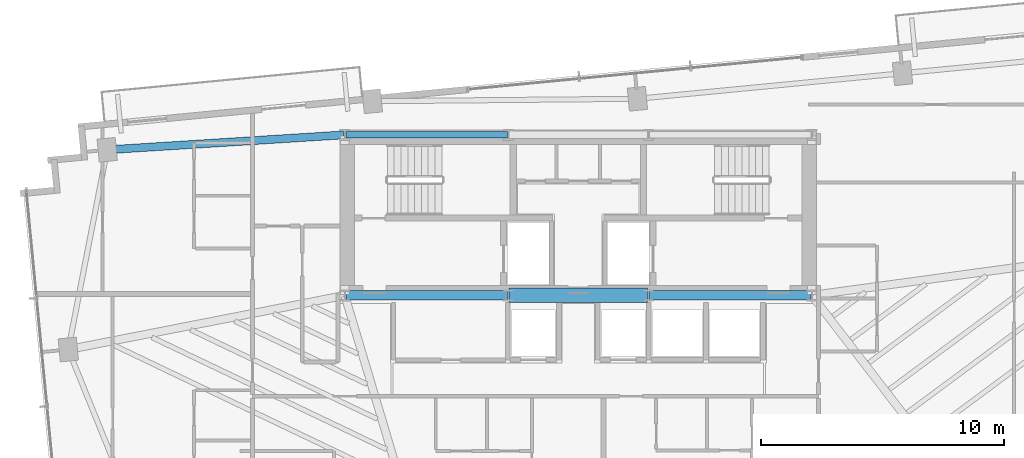
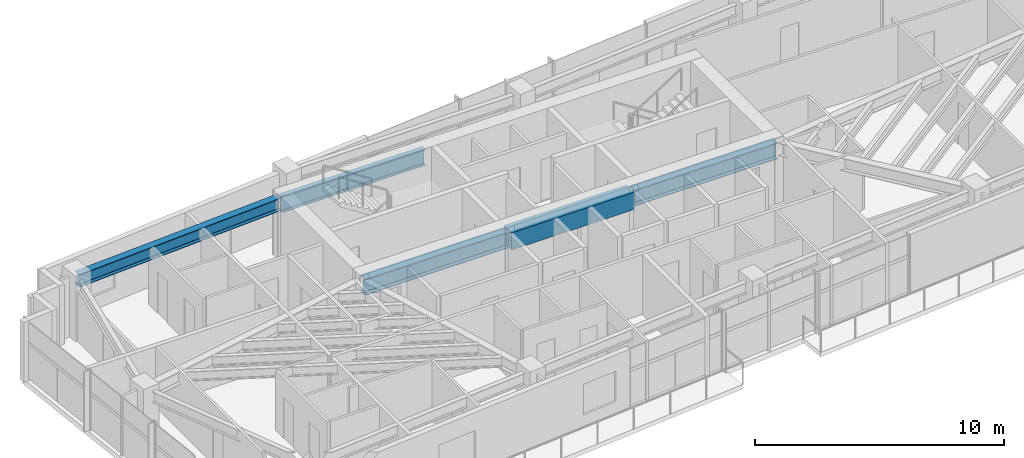
# One storey, part 5 of 18: 5 beams.
"""IFC4 building model written with IfcOpenShell, lengths in metres."""

from ifc_helpers import new_model, si_unit, direction, frame, origin, origin_2d, place, context, subcontext, project, spatial, rectangle, i_section, extrude, source, transform, mapped, material, material_profile, profile_set, type_object, type_shapes, element, save


model = new_model("IFC4")

# Units and contexts
model_context = context("Model", 3, precision=1e-05, world=origin(), true_north=direction((0.0, 1.0)))
body_context = subcontext(model_context, "Body", "Model", "MODEL_VIEW")
ifc_project = project(units=[si_unit("LENGTHUNIT", "METRE"), si_unit("AREAUNIT", "SQUARE_METRE"), si_unit("VOLUMEUNIT", "CUBIC_METRE"), si_unit("PLANEANGLEUNIT", "RADIAN"), si_unit("MASSUNIT", "GRAM", prefix="KILO")], contexts=[model_context])

# Site, building, storey
site_placement = place(None, origin())
site = spatial("IfcSite", under=ifc_project, at=site_placement, CompositionType="ELEMENT")
building_placement = place(site_placement, origin())
building = spatial("IfcBuilding", under=site, at=building_placement, Name="Astriad Promenade Condominiums", CompositionType="ELEMENT")
storey_placement = place(building_placement, frame((0.0, 0.0, 179.39990234375)))
storey = spatial("IfcBuildingStorey", under=building, at=storey_placement, Name="L51", CompositionType="ELEMENT", Elevation=179.39990234375)

# Beams
ifc_material_1 = material(Name="Steel ASTM A992 Grade 50", Category="steel")
ifc_material_profile_1 = material_profile(ifc_material_1, i_section(OverallWidth=0.3837890625, OverallDepth=0.785888671875, WebThickness=0.019775390625, FlangeThickness=0.033447265625, FilletRadius=0.021484375, at=origin_2d()), Name="W30X211")
ifc_profile_set_1 = profile_set([ifc_material_profile_1], Name="Steel ASTM A992 Grade 50")
beam_type_1 = type_object("IfcBeamType", Name="STEEL FLOOR GIRDER W30X211", PredefinedType="BEAM", material=ifc_profile_set_1)
shared_shape_1 = source(origin(), body_context, "Body", "SweptSolid", [
    extrude(i_section(OverallWidth=0.3837890625, OverallDepth=0.785888671875, WebThickness=0.019775390625, FlangeThickness=0.033447265625, FilletRadius=0.021484375, at=origin_2d()), origin(), (0.0, 0.0, 1.0), 6.64013671875),
])
type_shapes(beam_type_1, [shared_shape_1])
for number, where, z_axis, x_axis, name in (
    (1, (26.43994140625, 17.39990234375, 2.547119140625), (1.0, 0.0, 0.0), (0.0, 1.0, 0.0), "Core Ring Beam CG-S1-L51"),
    (2, (38.919921875, 17.39990234375, 2.547119140625), (1.0, 0.0, 0.0), (0.0, 1.0, 0.0), "Core Ring Beam CG-S3-L51"),
):
    element("IfcBeam", number, at=place(storey_placement, frame(where, z_axis=z_axis, x_axis=x_axis)), inside=storey, type_object=beam_type_1, Name=name, PredefinedType="BEAM", context=body_context, shape_type="MappedRepresentation", body=[
        mapped(shared_shape_1, transform((0.0, 0.0, 0.0), scale=1.0)),
    ])
ifc_material_profile_2 = material_profile(ifc_material_1, i_section(OverallWidth=0.267822265625, OverallDepth=0.76953125, WebThickness=0.015625, FlangeThickness=0.025390625, FilletRadius=0.021484375, at=origin_2d()), Name="W30X132")
ifc_profile_set_2 = profile_set([ifc_material_profile_2], Name="Steel ASTM A992 Grade 50")
beam_type_2 = type_object("IfcBeamType", Name="STEEL FLOOR GIRDER W30X132", PredefinedType="BEAM", material=ifc_profile_set_2)
shared_shape_2 = source(origin(), body_context, "Body", "SweptSolid", [
    extrude(i_section(OverallWidth=0.267822265625, OverallDepth=0.76953125, WebThickness=0.015625, FlangeThickness=0.025390625, FilletRadius=0.021484375, at=origin_2d()), origin(), (0.0, 0.0, 1.0), 6.64013671875),
])
type_shapes(beam_type_2, [shared_shape_2])
beam_1_placement = place(storey_placement, frame((26.43994140625, 24.0, 2.55517578125), z_axis=(1.0, 0.0, 0.0), x_axis=(0.0, 1.0, 0.0)))
element("IfcBeam", 3, at=beam_1_placement, inside=storey, type_object=beam_type_2, Name="Core Ring Beam CG-N1-L51", PredefinedType="BEAM", context=body_context, shape_type="MappedRepresentation", body=[
    mapped(shared_shape_2, transform((0.0, 0.0, 0.0), scale=1.0)),
])
ifc_material_2 = material(Name="Concrete C60/75", Category="concrete")
ifc_material_profile_3 = material_profile(ifc_material_2, rectangle(XDim=0.60009765625, YDim=0.85009765625, at=origin_2d()), Name="RC-BM-600X850")
ifc_profile_set_3 = profile_set([ifc_material_profile_3], Name="Concrete C60/75")
beam_type_3 = type_object("IfcBeamType", Name="CONCRETE CORE COUPLING LINTEL 600X850", PredefinedType="LINTEL", material=ifc_profile_set_3)
shared_shape_3 = source(origin(), body_context, "Body", "SweptSolid", [
    extrude(rectangle(XDim=0.60009765625, YDim=0.85009765625, at=origin_2d()), origin(), (0.0, 0.0, 1.0), 5.68017578125),
])
type_shapes(beam_type_3, [shared_shape_3])
beam_2_placement = place(storey_placement, frame((33.159912109375, 17.39990234375, 2.51513671875), z_axis=(1.0, 0.0, 0.0), x_axis=(0.0, 1.0, 0.0)))
element("IfcBeam", 4, at=beam_2_placement, inside=storey, type_object=beam_type_3, Name="Core Ring Beam CG-S2-L51", PredefinedType="LINTEL", context=body_context, shape_type="MappedRepresentation", body=[
    mapped(shared_shape_3, transform((0.0, 0.0, 0.0), scale=1.0)),
])
ifc_material_profile_4 = material_profile(ifc_material_1, i_section(OverallWidth=0.326416015625, OverallDepth=0.621826171875, WebThickness=0.015380859375, FlangeThickness=0.0244140625, FilletRadius=0.017822265625, at=origin_2d()), Name="W24X131")
ifc_profile_set_4 = profile_set([ifc_material_profile_4], Name="Steel ASTM A992 Grade 50")
beam_type_4 = type_object("IfcBeamType", Name="STEEL FLOOR GIRDER W24X131", PredefinedType="BEAM", material=ifc_profile_set_4)
shared_shape_4 = source(origin(), body_context, "Body", "SweptSolid", [
    extrude(i_section(OverallWidth=0.326416015625, OverallDepth=0.621826171875, WebThickness=0.015380859375, FlangeThickness=0.0244140625, FilletRadius=0.017822265625, at=origin_2d()), origin(), (0.0, 0.0, 1.0), 9.707275390625),
])
type_shapes(beam_type_4, [shared_shape_4])
beam_3_placement = place(storey_placement, frame((16.672119140625, 23.38671875, 2.629150390625), z_axis=(0.998018176507, 0.062926301034, 0.0), x_axis=(-0.062926301034, 0.998018176507, 0.0)))
element("IfcBeam", 5, at=beam_3_placement, inside=storey, type_object=beam_type_4, Name="Primary Floor Girder PG-NW-L51", PredefinedType="BEAM", context=body_context, shape_type="MappedRepresentation", body=[
    mapped(shared_shape_4, transform((0.0, 0.0, 0.0), scale=1.0)),
])

save(model, "model.ifc")
